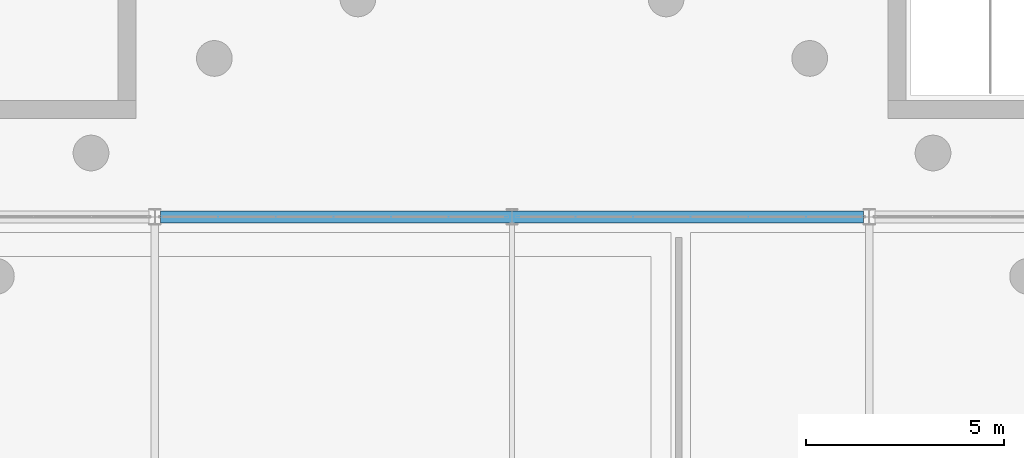
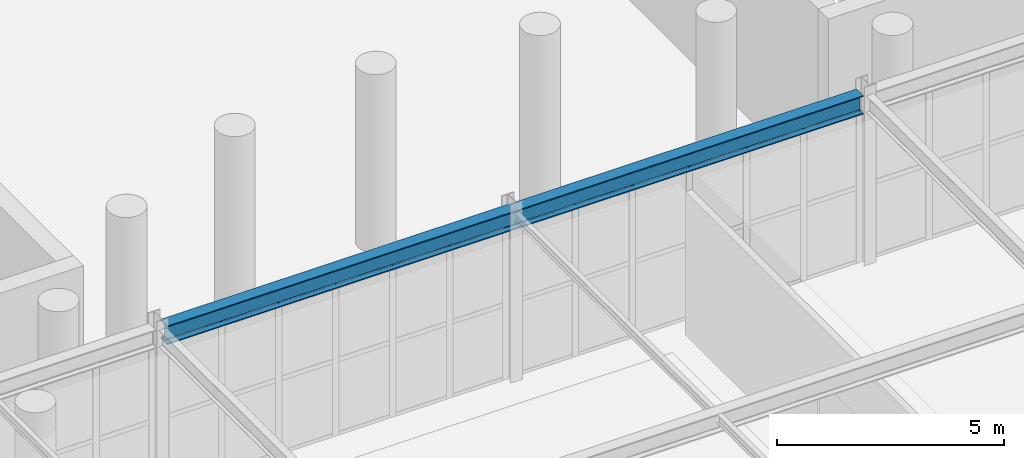
# One storey, part 11 of 29: 1 beam.
"""IFC4 building model written with IfcOpenShell, lengths in metres."""

from ifc_helpers import new_model, si_unit, direction, frame, origin, origin_2d, place, context, subcontext, project, spatial, i_section, extrude, material, material_profile, profile_set, type_object, element, save


model = new_model("IFC4")

# Units and contexts
model_context = context("Model", 3, precision=1e-05, world=origin(), true_north=direction((0.0, 1.0)))
body_context = subcontext(model_context, "Body", "Model", "MODEL_VIEW")
ifc_project = project(units=[si_unit("LENGTHUNIT", "METRE"), si_unit("AREAUNIT", "SQUARE_METRE"), si_unit("VOLUMEUNIT", "CUBIC_METRE"), si_unit("PLANEANGLEUNIT", "RADIAN"), si_unit("MASSUNIT", "GRAM", prefix="KILO")], contexts=[model_context])

# Site, building, storey
site_placement = place(None, origin())
site = spatial("IfcSite", under=ifc_project, at=site_placement, CompositionType="ELEMENT")
building_placement = place(site_placement, origin())
building = spatial("IfcBuilding", under=site, at=building_placement, Name="Dornveld Trade and Exhibition Forum", CompositionType="ELEMENT")
storey_placement = place(building_placement, frame((0.0, 0.0, 21.60009765625)))
storey = spatial("IfcBuildingStorey", under=building, at=storey_placement, Name="L04", CompositionType="ELEMENT", Elevation=21.60009765625)

# Beam
ifc_material = material(Name="Steel S355J2", Category="steel")
ifc_material_profile = material_profile(ifc_material, i_section(OverallWidth=0.300048828125, OverallDepth=0.5, WebThickness=0.014404296875, FlangeThickness=0.028076171875, FilletRadius=0.027099609375, at=origin_2d()), Name="HEB 500")
ifc_profile_set = profile_set([ifc_material_profile], Name="Steel S355J2")
beam_type = type_object("IfcBeamType", Name="BM-GIR-HEB500", PredefinedType="USERDEFINED", material=ifc_profile_set)
beam_placement = place(storey_placement, frame((108.14599609375, 90.0, 4.2998046875), z_axis=(1.0, 0.0, 0.0), x_axis=(0.0, 1.0, 0.0)))
element("IfcBeam", 1, at=beam_placement, inside=storey, type_object=beam_type, Name="L04 X-girder 1684", ObjectType="GIRDER", PredefinedType="USERDEFINED", context=body_context, shape_type="SweptSolid", body=[
    extrude(i_section(OverallWidth=0.300048828125, OverallDepth=0.5, WebThickness=0.014404296875, FlangeThickness=0.028076171875, FilletRadius=0.027099609375, at=origin_2d()), origin(), (0.0, 0.0, 1.0), 17.7080078125),
])

save(model, "model.ifc")
